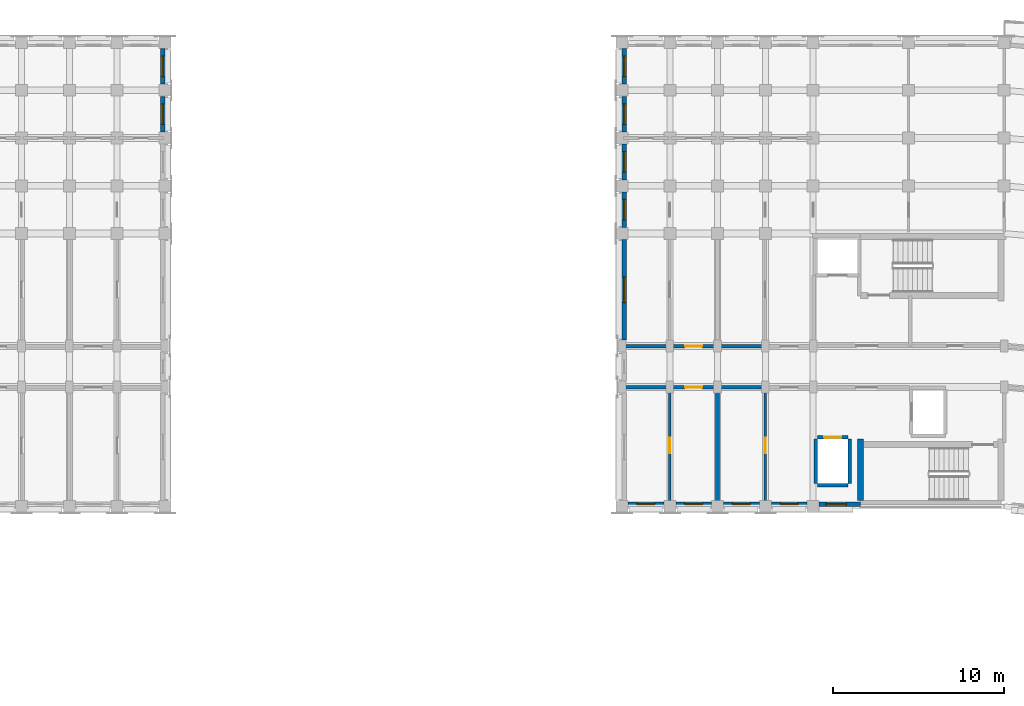
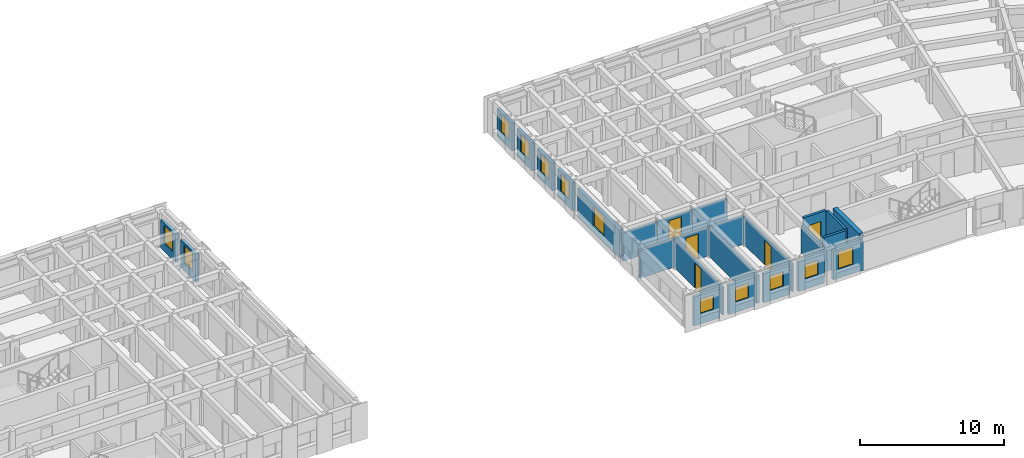
# One storey, part 30 of 57: 26 walls, 12 windows, 5 doors, 17 openings.
"""IFC4 building model written with IfcOpenShell, lengths in metres."""

from ifc_helpers import new_model, si_unit, direction, frame, frame_2d, origin, place, context, subcontext, project, spatial, rectangle, extrude, material, layer, layer_set, type_object, element, fill, save


model = new_model("IFC4")

# Units and contexts
model_context = context("Model", 3, precision=1e-05, world=origin(), true_north=direction((0.0, 1.0)))
body_context = subcontext(model_context, "Body", "Model", "MODEL_VIEW")
ifc_project = project(units=[si_unit("LENGTHUNIT", "METRE"), si_unit("AREAUNIT", "SQUARE_METRE"), si_unit("VOLUMEUNIT", "CUBIC_METRE"), si_unit("PLANEANGLEUNIT", "RADIAN"), si_unit("MASSUNIT", "GRAM", prefix="KILO")], contexts=[model_context])

# Site, building, storey
site_placement = place(None, origin())
site = spatial("IfcSite", under=ifc_project, at=site_placement, CompositionType="ELEMENT")
building_placement = place(site_placement, origin())
building = spatial("IfcBuilding", under=site, at=building_placement, Name="Kiranvali Square Residences", CompositionType="ELEMENT")
storey_placement = place(building_placement, frame((0.0, 0.0, 21.300048828125)))
storey = spatial("IfcBuildingStorey", under=building, at=storey_placement, Name="L06", CompositionType="ELEMENT", Elevation=21.300048828125)

# Walls
ifc_material_1 = material(Name="Autoclaved aerated concrete blockwork masonry", Category="masonry")
ifc_layer_1 = layer(ifc_material_1, 0.199951171875)
ifc_layer_set_1 = layer_set([ifc_layer_1], Name="Autoclaved aerated concrete blockwork masonry")
wall_type_1 = type_object("IfcWallType", Name="WL-COR-200", PredefinedType="STANDARD", material=ifc_layer_set_1)
for number, where, z_axis, x_axis, name in (
    (1, (105.800048828125, 113.60009765625, 0.0), (0.0, 0.0, 1.0), (-1.0, 0.0, 0.0), "L06 architectural wall WL-L06-B-A1CI-1"),
    (2, (105.800048828125, 116.0, 0.0), (0.0, 0.0, 1.0), (-1.0, 0.0, 0.0), "L06 architectural wall WL-L06-B-A1CO-1"),
):
    element("IfcWall", number, at=place(storey_placement, frame(where, z_axis=z_axis, x_axis=x_axis)), inside=storey, type_object=wall_type_1, Name=name, PredefinedType="STANDARD", context=body_context, shape_type="SweptSolid", body=[
        extrude(rectangle(XDim=2.800048828125, YDim=0.199951171875, at=frame_2d((1.39990234375, 0.0))), origin(), (0.0, 0.0, 1.0), 2.3720703125),
    ])

# Wall, opening, door
wall_1_placement = place(storey_placement, frame((103.0, 113.60009765625, 0.0), z_axis=(0.0, 0.0, 1.0), x_axis=(-1.0, 0.0, 0.0)))
wall_1 = element("IfcWall", 3, at=wall_1_placement, inside=storey, type_object=wall_type_1, Name="L06 architectural wall WL-L06-B-A1CI-2", PredefinedType="STANDARD", context=body_context, shape_type="SweptSolid", body=[
    extrude(rectangle(XDim=2.800048828125, YDim=0.199951171875, at=frame_2d((1.39990234375, 0.0))), origin(), (0.0, 0.0, 1.0), 2.3720703125),
])
opening_1_placement = place(wall_1_placement, frame((0.89990234375, 0.0, 0.0)))
opening_1 = element("IfcOpeningElement", 4, at=opening_1_placement, cuts=wall_1, Name="Opening FD-APT-60", PredefinedType="OPENING", context=body_context, shape_type="SweptSolid", body=[
    extrude(rectangle(XDim=1.0, YDim=2.14990234375, at=frame_2d((0.5, 1.074951171875))), frame((0.0, 0.10986328125, 0.0), z_axis=(0.0, -1.0, 0.0), x_axis=(1.0, 0.0, 0.0)), (0.0, 0.0, 1.0), 0.219970703125),
])
ifc_material_2 = material(Name="Fire-rated acoustic hardwood and mineral-core door assembly", Category="wood")
door_type_1 = type_object("IfcDoorType", Name="DR-APT-1000", OperationType="NOTDEFINED", PredefinedType="DOOR", material=ifc_material_2)
door_1_placement = place(opening_1_placement, frame((1.0, 0.0, 0.0), z_axis=(0.0, 0.0, 1.0), x_axis=(-1.0, 0.0, 0.0)))
door_1 = element("IfcDoor", 5, at=door_1_placement, inside=storey, type_object=door_type_1, Name="L06 door DR-L06-1342 (DR-APT-1000)", OperationType="SINGLE_SWING_RIGHT", OverallHeight=2.14990234375, OverallWidth=1.0, PredefinedType="DOOR", context=body_context, shape_type="SweptSolid", body=[
    extrude(rectangle(XDim=1.0, YDim=2.14990234375, at=frame_2d((0.5, 1.074951171875))), frame((0.0, 0.02490234375, 0.0), z_axis=(0.0, -1.0, 0.0), x_axis=(1.0, 0.0, 0.0)), (0.0, 0.0, 1.0), 0.050048828125),
])
fill(opening_1, door_1)

wall_2_placement = place(storey_placement, frame((103.0, 116.0, 0.0), z_axis=(0.0, 0.0, 1.0), x_axis=(-1.0, 0.0, 0.0)))
wall_2 = element("IfcWall", 6, at=wall_2_placement, inside=storey, type_object=wall_type_1, Name="L06 architectural wall WL-L06-B-A1CO-2", PredefinedType="STANDARD", context=body_context, shape_type="SweptSolid", body=[
    extrude(rectangle(XDim=2.800048828125, YDim=0.199951171875, at=frame_2d((1.39990234375, 0.0))), origin(), (0.0, 0.0, 1.0), 2.3720703125),
])
opening_2_placement = place(wall_2_placement, frame((0.89990234375, 0.0, 0.0)))
opening_2 = element("IfcOpeningElement", 7, at=opening_2_placement, cuts=wall_2, Name="Opening FD-APT-60", PredefinedType="OPENING", context=body_context, shape_type="SweptSolid", body=[
    extrude(rectangle(XDim=1.0, YDim=2.14990234375, at=frame_2d((0.5, 1.074951171875))), frame((0.0, 0.10986328125, 0.0), z_axis=(0.0, -1.0, 0.0), x_axis=(1.0, 0.0, 0.0)), (0.0, 0.0, 1.0), 0.219970703125),
])
door_2_placement = place(opening_2_placement, frame((1.0, 0.0, 0.0), z_axis=(0.0, 0.0, 1.0), x_axis=(-1.0, 0.0, 0.0)))
door_2 = element("IfcDoor", 8, at=door_2_placement, inside=storey, type_object=door_type_1, Name="L06 door DR-L06-1344 (DR-APT-1000)", OperationType="SINGLE_SWING_RIGHT", OverallHeight=2.14990234375, OverallWidth=1.0, PredefinedType="DOOR", context=body_context, shape_type="SweptSolid", body=[
    extrude(rectangle(XDim=1.0, YDim=2.14990234375, at=frame_2d((0.5, 1.074951171875))), frame((0.0, 0.02490234375, 0.0), z_axis=(0.0, -1.0, 0.0), x_axis=(1.0, 0.0, 0.0)), (0.0, 0.0, 1.0), 0.050048828125),
])
fill(opening_2, door_2)

# Walls
for number, where, z_axis, x_axis, name in (
    (9, (100.199951171875, 113.60009765625, 0.0), (0.0, 0.0, 1.0), (-1.0, 0.0, 0.0), "L06 architectural wall WL-L06-B-A1CI-3"),
    (10, (100.199951171875, 116.0, 0.0), (0.0, 0.0, 1.0), (-1.0, 0.0, 0.0), "L06 architectural wall WL-L06-B-A1CO-3"),
):
    element("IfcWall", number, at=place(storey_placement, frame(where, z_axis=z_axis, x_axis=x_axis)), inside=storey, type_object=wall_type_1, Name=name, PredefinedType="STANDARD", context=body_context, shape_type="SweptSolid", body=[
        extrude(rectangle(XDim=2.800048828125, YDim=0.199951171875, at=frame_2d((1.39990234375, 0.0))), origin(), (0.0, 0.0, 1.0), 2.3720703125),
    ])
ifc_layer_2 = layer(ifc_material_1, 0.219970703125)
ifc_layer_set_2 = layer_set([ifc_layer_2], Name="Autoclaved aerated concrete blockwork masonry")
wall_type_2 = type_object("IfcWallType", Name="WL-DEM-220", PredefinedType="STANDARD", material=ifc_layer_set_2)
wall_3_placement = place(storey_placement, frame((103.0, 106.800048828125, 0.0), z_axis=(0.0, 0.0, 1.0), x_axis=(0.0, 1.0, 0.0)))
element("IfcWall", 11, at=wall_3_placement, inside=storey, type_object=wall_type_2, Name="L06 architectural wall WL-L06-B-A1TI-2", PredefinedType="STANDARD", context=body_context, shape_type="SweptSolid", body=[
    extrude(rectangle(XDim=6.75, YDim=0.219970703125, at=frame_2d((3.375, 0.0))), origin(), (0.0, 0.0, 1.0), 2.3720703125),
])

# Wall, opening, window
ifc_material_3 = material(Name="Breathable lime-rendered clay brick masonry", Category="masonry")
ifc_layer_3 = layer(ifc_material_3, 0.25)
ifc_layer_set_3 = layer_set([ifc_layer_3], Name="Breathable lime-rendered clay brick masonry")
wall_type_3 = type_object("IfcWallType", Name="WL-EXT-250", PredefinedType="STANDARD", material=ifc_layer_set_3)
wall_4_placement = place(storey_placement, frame((70.47509765625, 128.553466796875, 0.0), z_axis=(0.0, 0.0, 1.0), x_axis=(0.0, 1.0, 0.0)))
wall_4 = element("IfcWall", 12, at=wall_4_placement, inside=storey, type_object=wall_type_3, Name="L06 exterior wall A-L06-A1END-5", PredefinedType="STANDARD", context=body_context, shape_type="SweptSolid", body=[
    extrude(rectangle(XDim=2.093017578125, YDim=0.25, at=frame_2d((1.04638671875, 0.0))), origin(), (0.0, 0.0, 1.0), 2.3720703125),
])
opening_3_placement = place(wall_4_placement, frame((0.446533203125, 0.0, 0.672119140625)))
opening_3 = element("IfcOpeningElement", 13, at=opening_3_placement, cuts=wall_4, Name="Opening W-06", PredefinedType="OPENING", context=body_context, shape_type="SweptSolid", body=[
    extrude(rectangle(XDim=1.199951171875, YDim=1.5, at=frame_2d((0.60009765625, 0.75))), frame((0.0, 0.135009765625, 0.0), z_axis=(0.0, -1.0, 0.0), x_axis=(1.0, 0.0, 0.0)), (0.0, 0.0, 1.0), 0.27001953125),
])
ifc_material_4 = material(Name="Solar-control low-e double glazing", Category="glass")
window_type_1 = type_object("IfcWindowType", Name="WIN-RES-1200x1500", PartitioningType="SINGLE_PANEL", PredefinedType="WINDOW", material=ifc_material_4)
window_1_placement = place(opening_3_placement, origin())
window_1 = element("IfcWindow", 14, at=window_1_placement, inside=storey, type_object=window_type_1, Name="L06 recessed window A-L06-A1END-5", OverallHeight=1.5, OverallWidth=1.199951171875, PartitioningType="SINGLE_PANEL", PredefinedType="WINDOW", context=body_context, shape_type="SweptSolid", body=[
    extrude(rectangle(XDim=1.199951171875, YDim=1.5, at=frame_2d((0.60009765625, 0.75))), frame((0.0, 0.030029296875, 0.0), z_axis=(0.0, -1.0, 0.0), x_axis=(1.0, 0.0, 0.0)), (0.0, 0.0, 1.0), 0.06005859375),
])
fill(opening_3, window_1)

wall_5_placement = place(storey_placement, frame((70.47509765625, 131.353515625, 0.0), z_axis=(0.0, 0.0, 1.0), x_axis=(0.0, 1.0, 0.0)))
wall_5 = element("IfcWall", 15, at=wall_5_placement, inside=storey, type_object=wall_type_3, Name="L06 exterior wall A-L06-A1END-6", PredefinedType="STANDARD", context=body_context, shape_type="SweptSolid", body=[
    extrude(rectangle(XDim=2.093017578125, YDim=0.25, at=frame_2d((1.04638671875, 0.0))), origin(), (0.0, 0.0, 1.0), 2.3720703125),
])
opening_4_placement = place(wall_5_placement, frame((0.446533203125, 0.0, 0.672119140625)))
opening_4 = element("IfcOpeningElement", 16, at=opening_4_placement, cuts=wall_5, Name="Opening W-06", PredefinedType="OPENING", context=body_context, shape_type="SweptSolid", body=[
    extrude(rectangle(XDim=1.199951171875, YDim=1.5, at=frame_2d((0.60009765625, 0.75))), frame((0.0, 0.135009765625, 0.0), z_axis=(0.0, -1.0, 0.0), x_axis=(1.0, 0.0, 0.0)), (0.0, 0.0, 1.0), 0.27001953125),
])
window_2_placement = place(opening_4_placement, origin())
window_2 = element("IfcWindow", 17, at=window_2_placement, inside=storey, type_object=window_type_1, Name="L06 recessed window A-L06-A1END-6", OverallHeight=1.5, OverallWidth=1.199951171875, PartitioningType="SINGLE_PANEL", PredefinedType="WINDOW", context=body_context, shape_type="SweptSolid", body=[
    extrude(rectangle(XDim=1.199951171875, YDim=1.5, at=frame_2d((0.60009765625, 0.75))), frame((0.0, 0.030029296875, 0.0), z_axis=(0.0, -1.0, 0.0), x_axis=(1.0, 0.0, 0.0)), (0.0, 0.0, 1.0), 0.06005859375),
])
fill(opening_4, window_2)

wall_6_placement = place(storey_placement, frame((111.37158203125, 106.72509765625, 0.0), z_axis=(0.0, 0.0, 1.0), x_axis=(-1.0, 0.0, 0.0)))
wall_6 = element("IfcWall", 18, at=wall_6_placement, inside=storey, type_object=wall_type_3, Name="L06 exterior wall B-L06-A1IN-0", PredefinedType="STANDARD", context=body_context, shape_type="SweptSolid", body=[
    extrude(rectangle(XDim=2.421630859375, YDim=0.25, at=frame_2d((1.2109375, 0.0))), origin(), (0.0, 0.0, 1.0), 2.471923828125),
])
opening_5_placement = place(wall_6_placement, frame((0.821533203125, 0.0, 0.77197265625)))
opening_5 = element("IfcOpeningElement", 19, at=opening_5_placement, cuts=wall_6, Name="Opening W-06", PredefinedType="OPENING", context=body_context, shape_type="SweptSolid", body=[
    extrude(rectangle(XDim=1.199951171875, YDim=1.5, at=frame_2d((0.60009765625, 0.75))), frame((0.0, 0.135009765625, 0.0), z_axis=(0.0, -1.0, 0.0), x_axis=(1.0, 0.0, 0.0)), (0.0, 0.0, 1.0), 0.27001953125),
])
window_3_placement = place(opening_5_placement, origin())
window_3 = element("IfcWindow", 20, at=window_3_placement, inside=storey, type_object=window_type_1, Name="L06 recessed window B-L06-A1IN-0", OverallHeight=1.5, OverallWidth=1.199951171875, PartitioningType="SINGLE_PANEL", PredefinedType="WINDOW", context=body_context, shape_type="SweptSolid", body=[
    extrude(rectangle(XDim=1.199951171875, YDim=1.5, at=frame_2d((0.60009765625, 0.75))), frame((0.0, 0.030029296875, 0.0), z_axis=(0.0, -1.0, 0.0), x_axis=(1.0, 0.0, 0.0)), (0.0, 0.0, 1.0), 0.06005859375),
])
fill(opening_5, window_3)

wall_7_placement = place(storey_placement, frame((108.24658203125, 106.72509765625, 0.0), z_axis=(0.0, 0.0, 1.0), x_axis=(-1.0, 0.0, 0.0)))
wall_7 = element("IfcWall", 21, at=wall_7_placement, inside=storey, type_object=wall_type_3, Name="L06 exterior wall B-L06-A1I-0", PredefinedType="STANDARD", context=body_context, shape_type="SweptSolid", body=[
    extrude(rectangle(XDim=2.093017578125, YDim=0.25, at=frame_2d((1.04638671875, 0.0))), origin(), (0.0, 0.0, 1.0), 2.471923828125),
])
opening_6_placement = place(wall_7_placement, frame((0.521484375, 0.0, 0.8798828125)))
opening_6 = element("IfcOpeningElement", 22, at=opening_6_placement, cuts=wall_7, Name="Opening W-24", PredefinedType="OPENING", context=body_context, shape_type="SweptSolid", body=[
    extrude(rectangle(XDim=1.050048828125, YDim=1.25, at=frame_2d((0.52490234375, 0.625))), frame((0.0, 0.135009765625, 0.0), z_axis=(0.0, -1.0, 0.0), x_axis=(1.0, 0.0, 0.0)), (0.0, 0.0, 1.0), 0.27001953125),
])
window_type_2 = type_object("IfcWindowType", Name="WIN-COR-1050x1250", PartitioningType="SINGLE_PANEL", PredefinedType="WINDOW", material=ifc_material_4)
window_4_placement = place(opening_6_placement, origin())
window_4 = element("IfcWindow", 23, at=window_4_placement, inside=storey, type_object=window_type_2, Name="L06 recessed window B-L06-A1I-0", OverallHeight=1.25, OverallWidth=1.050048828125, PartitioningType="SINGLE_PANEL", PredefinedType="WINDOW", context=body_context, shape_type="SweptSolid", body=[
    extrude(rectangle(XDim=1.050048828125, YDim=1.25, at=frame_2d((0.52490234375, 0.625))), frame((0.0, 0.030029296875, 0.0), z_axis=(0.0, -1.0, 0.0), x_axis=(1.0, 0.0, 0.0)), (0.0, 0.0, 1.0), 0.06005859375),
])
fill(opening_6, window_4)

wall_8_placement = place(storey_placement, frame((105.446533203125, 106.72509765625, 0.0), z_axis=(0.0, 0.0, 1.0), x_axis=(-1.0, 0.0, 0.0)))
wall_8 = element("IfcWall", 24, at=wall_8_placement, inside=storey, type_object=wall_type_3, Name="L06 exterior wall B-L06-A1I-1", PredefinedType="STANDARD", context=body_context, shape_type="SweptSolid", body=[
    extrude(rectangle(XDim=2.093017578125, YDim=0.25, at=frame_2d((1.04638671875, 0.0))), origin(), (0.0, 0.0, 1.0), 2.471923828125),
])
opening_7_placement = place(wall_8_placement, frame((0.521484375, 0.0, 0.8798828125)))
opening_7 = element("IfcOpeningElement", 25, at=opening_7_placement, cuts=wall_8, Name="Opening W-24", PredefinedType="OPENING", context=body_context, shape_type="SweptSolid", body=[
    extrude(rectangle(XDim=1.050048828125, YDim=1.25, at=frame_2d((0.52490234375, 0.625))), frame((0.0, 0.135009765625, 0.0), z_axis=(0.0, -1.0, 0.0), x_axis=(1.0, 0.0, 0.0)), (0.0, 0.0, 1.0), 0.27001953125),
])
window_5_placement = place(opening_7_placement, origin())
window_5 = element("IfcWindow", 26, at=window_5_placement, inside=storey, type_object=window_type_2, Name="L06 recessed window B-L06-A1I-1", OverallHeight=1.25, OverallWidth=1.050048828125, PartitioningType="SINGLE_PANEL", PredefinedType="WINDOW", context=body_context, shape_type="SweptSolid", body=[
    extrude(rectangle(XDim=1.050048828125, YDim=1.25, at=frame_2d((0.52490234375, 0.625))), frame((0.0, 0.030029296875, 0.0), z_axis=(0.0, -1.0, 0.0), x_axis=(1.0, 0.0, 0.0)), (0.0, 0.0, 1.0), 0.06005859375),
])
fill(opening_7, window_5)

wall_9_placement = place(storey_placement, frame((102.646484375, 106.72509765625, 0.0), z_axis=(0.0, 0.0, 1.0), x_axis=(-1.0, 0.0, 0.0)))
wall_9 = element("IfcWall", 27, at=wall_9_placement, inside=storey, type_object=wall_type_3, Name="L06 exterior wall B-L06-A1I-2", PredefinedType="STANDARD", context=body_context, shape_type="SweptSolid", body=[
    extrude(rectangle(XDim=2.093017578125, YDim=0.25, at=frame_2d((1.04638671875, 0.0))), origin(), (0.0, 0.0, 1.0), 2.471923828125),
])
opening_8_placement = place(wall_9_placement, frame((0.521484375, 0.0, 0.8798828125)))
opening_8 = element("IfcOpeningElement", 28, at=opening_8_placement, cuts=wall_9, Name="Opening W-24", PredefinedType="OPENING", context=body_context, shape_type="SweptSolid", body=[
    extrude(rectangle(XDim=1.050048828125, YDim=1.25, at=frame_2d((0.52490234375, 0.625))), frame((0.0, 0.135009765625, 0.0), z_axis=(0.0, -1.0, 0.0), x_axis=(1.0, 0.0, 0.0)), (0.0, 0.0, 1.0), 0.27001953125),
])
window_6_placement = place(opening_8_placement, origin())
window_6 = element("IfcWindow", 29, at=window_6_placement, inside=storey, type_object=window_type_2, Name="L06 recessed window B-L06-A1I-2", OverallHeight=1.25, OverallWidth=1.050048828125, PartitioningType="SINGLE_PANEL", PredefinedType="WINDOW", context=body_context, shape_type="SweptSolid", body=[
    extrude(rectangle(XDim=1.050048828125, YDim=1.25, at=frame_2d((0.52490234375, 0.625))), frame((0.0, 0.030029296875, 0.0), z_axis=(0.0, -1.0, 0.0), x_axis=(1.0, 0.0, 0.0)), (0.0, 0.0, 1.0), 0.06005859375),
])
fill(opening_8, window_6)

wall_10_placement = place(storey_placement, frame((99.846435546875, 106.72509765625, 0.0), z_axis=(0.0, 0.0, 1.0), x_axis=(-1.0, 0.0, 0.0)))
wall_10 = element("IfcWall", 30, at=wall_10_placement, inside=storey, type_object=wall_type_3, Name="L06 exterior wall B-L06-A1I-3", PredefinedType="STANDARD", context=body_context, shape_type="SweptSolid", body=[
    extrude(rectangle(XDim=2.093017578125, YDim=0.25, at=frame_2d((1.04638671875, 0.0))), origin(), (0.0, 0.0, 1.0), 2.471923828125),
])
opening_9_placement = place(wall_10_placement, frame((0.521484375, 0.0, 0.8798828125)))
opening_9 = element("IfcOpeningElement", 31, at=opening_9_placement, cuts=wall_10, Name="Opening W-24", PredefinedType="OPENING", context=body_context, shape_type="SweptSolid", body=[
    extrude(rectangle(XDim=1.050048828125, YDim=1.25, at=frame_2d((0.52490234375, 0.625))), frame((0.0, 0.135009765625, 0.0), z_axis=(0.0, -1.0, 0.0), x_axis=(1.0, 0.0, 0.0)), (0.0, 0.0, 1.0), 0.27001953125),
])
window_7_placement = place(opening_9_placement, origin())
window_7 = element("IfcWindow", 32, at=window_7_placement, inside=storey, type_object=window_type_2, Name="L06 recessed window B-L06-A1I-3", OverallHeight=1.25, OverallWidth=1.050048828125, PartitioningType="SINGLE_PANEL", PredefinedType="WINDOW", context=body_context, shape_type="SweptSolid", body=[
    extrude(rectangle(XDim=1.050048828125, YDim=1.25, at=frame_2d((0.52490234375, 0.625))), frame((0.0, 0.030029296875, 0.0), z_axis=(0.0, -1.0, 0.0), x_axis=(1.0, 0.0, 0.0)), (0.0, 0.0, 1.0), 0.06005859375),
])
fill(opening_9, window_7)

wall_11_placement = place(storey_placement, frame((97.52490234375, 116.353515625, 0.0), z_axis=(0.0, 0.0, 1.0), x_axis=(0.0, 1.0, 0.0)))
wall_11 = element("IfcWall", 33, at=wall_11_placement, inside=storey, type_object=wall_type_3, Name="L06 exterior wall B-L06-A1END-2", PredefinedType="STANDARD", context=body_context, shape_type="SweptSolid", body=[
    extrude(rectangle(XDim=5.89306640625, YDim=0.25, at=frame_2d((2.946533203125, 0.0))), origin(), (0.0, 0.0, 1.0), 2.3720703125),
])
opening_10_placement = place(wall_11_placement, frame((2.196533203125, 0.0, 0.52197265625)))
opening_10 = element("IfcOpeningElement", 34, at=opening_10_placement, cuts=wall_11, Name="Opening W-05", PredefinedType="OPENING", context=body_context, shape_type="SweptSolid", body=[
    extrude(rectangle(XDim=1.5, YDim=1.64990234375, at=frame_2d((0.75, 0.824951171875))), frame((0.0, 0.135009765625, 0.0), z_axis=(0.0, -1.0, 0.0), x_axis=(1.0, 0.0, 0.0)), (0.0, 0.0, 1.0), 0.27001953125),
])
window_type_3 = type_object("IfcWindowType", Name="WIN-RES-1500x1650", PartitioningType="DOUBLE_PANEL_VERTICAL", PredefinedType="WINDOW", material=ifc_material_4)
window_8_placement = place(opening_10_placement, origin())
window_8 = element("IfcWindow", 35, at=window_8_placement, inside=storey, type_object=window_type_3, Name="L06 recessed window B-L06-A1END-2", OverallHeight=1.64990234375, OverallWidth=1.5, PartitioningType="DOUBLE_PANEL_VERTICAL", PredefinedType="WINDOW", context=body_context, shape_type="SweptSolid", body=[
    extrude(rectangle(XDim=1.5, YDim=1.64990234375, at=frame_2d((0.75, 0.824951171875))), frame((0.0, 0.030029296875, 0.0), z_axis=(0.0, -1.0, 0.0), x_axis=(1.0, 0.0, 0.0)), (0.0, 0.0, 1.0), 0.06005859375),
])
fill(opening_10, window_8)

wall_12_placement = place(storey_placement, frame((97.52490234375, 122.95361328125, 0.0), z_axis=(0.0, 0.0, 1.0), x_axis=(0.0, 1.0, 0.0)))
wall_12 = element("IfcWall", 36, at=wall_12_placement, inside=storey, type_object=wall_type_3, Name="L06 exterior wall B-L06-A1END-3", PredefinedType="STANDARD", context=body_context, shape_type="SweptSolid", body=[
    extrude(rectangle(XDim=2.0927734375, YDim=0.25, at=frame_2d((1.04638671875, 0.0))), origin(), (0.0, 0.0, 1.0), 2.3720703125),
])
opening_11_placement = place(wall_12_placement, frame((0.446533203125, 0.0, 0.672119140625)))
opening_11 = element("IfcOpeningElement", 37, at=opening_11_placement, cuts=wall_12, Name="Opening W-06", PredefinedType="OPENING", context=body_context, shape_type="SweptSolid", body=[
    extrude(rectangle(XDim=1.199951171875, YDim=1.5, at=frame_2d((0.60009765625, 0.75))), frame((0.0, 0.135009765625, 0.0), z_axis=(0.0, -1.0, 0.0), x_axis=(1.0, 0.0, 0.0)), (0.0, 0.0, 1.0), 0.27001953125),
])
window_9_placement = place(opening_11_placement, origin())
window_9 = element("IfcWindow", 38, at=window_9_placement, inside=storey, type_object=window_type_1, Name="L06 recessed window B-L06-A1END-3", OverallHeight=1.5, OverallWidth=1.199951171875, PartitioningType="SINGLE_PANEL", PredefinedType="WINDOW", context=body_context, shape_type="SweptSolid", body=[
    extrude(rectangle(XDim=1.199951171875, YDim=1.5, at=frame_2d((0.60009765625, 0.75))), frame((0.0, 0.030029296875, 0.0), z_axis=(0.0, -1.0, 0.0), x_axis=(1.0, 0.0, 0.0)), (0.0, 0.0, 1.0), 0.06005859375),
])
fill(opening_11, window_9)

wall_13_placement = place(storey_placement, frame((97.52490234375, 125.75341796875, 0.0), z_axis=(0.0, 0.0, 1.0), x_axis=(0.0, 1.0, 0.0)))
wall_13 = element("IfcWall", 39, at=wall_13_placement, inside=storey, type_object=wall_type_3, Name="L06 exterior wall B-L06-A1END-4", PredefinedType="STANDARD", context=body_context, shape_type="SweptSolid", body=[
    extrude(rectangle(XDim=2.093017578125, YDim=0.25, at=frame_2d((1.04638671875, 0.0))), origin(), (0.0, 0.0, 1.0), 2.3720703125),
])
opening_12_placement = place(wall_13_placement, frame((0.446533203125, 0.0, 0.672119140625)))
opening_12 = element("IfcOpeningElement", 40, at=opening_12_placement, cuts=wall_13, Name="Opening W-06", PredefinedType="OPENING", context=body_context, shape_type="SweptSolid", body=[
    extrude(rectangle(XDim=1.199951171875, YDim=1.5, at=frame_2d((0.60009765625, 0.75))), frame((0.0, 0.135009765625, 0.0), z_axis=(0.0, -1.0, 0.0), x_axis=(1.0, 0.0, 0.0)), (0.0, 0.0, 1.0), 0.27001953125),
])
window_10_placement = place(opening_12_placement, origin())
window_10 = element("IfcWindow", 41, at=window_10_placement, inside=storey, type_object=window_type_1, Name="L06 recessed window B-L06-A1END-4", OverallHeight=1.5, OverallWidth=1.199951171875, PartitioningType="SINGLE_PANEL", PredefinedType="WINDOW", context=body_context, shape_type="SweptSolid", body=[
    extrude(rectangle(XDim=1.199951171875, YDim=1.5, at=frame_2d((0.60009765625, 0.75))), frame((0.0, 0.030029296875, 0.0), z_axis=(0.0, -1.0, 0.0), x_axis=(1.0, 0.0, 0.0)), (0.0, 0.0, 1.0), 0.06005859375),
])
fill(opening_12, window_10)

wall_14_placement = place(storey_placement, frame((97.52490234375, 128.553466796875, 0.0), z_axis=(0.0, 0.0, 1.0), x_axis=(0.0, 1.0, 0.0)))
wall_14 = element("IfcWall", 42, at=wall_14_placement, inside=storey, type_object=wall_type_3, Name="L06 exterior wall B-L06-A1END-5", PredefinedType="STANDARD", context=body_context, shape_type="SweptSolid", body=[
    extrude(rectangle(XDim=2.093017578125, YDim=0.25, at=frame_2d((1.04638671875, 0.0))), origin(), (0.0, 0.0, 1.0), 2.3720703125),
])
opening_13_placement = place(wall_14_placement, frame((0.446533203125, 0.0, 0.672119140625)))
opening_13 = element("IfcOpeningElement", 43, at=opening_13_placement, cuts=wall_14, Name="Opening W-06", PredefinedType="OPENING", context=body_context, shape_type="SweptSolid", body=[
    extrude(rectangle(XDim=1.199951171875, YDim=1.5, at=frame_2d((0.60009765625, 0.75))), frame((0.0, 0.135009765625, 0.0), z_axis=(0.0, -1.0, 0.0), x_axis=(1.0, 0.0, 0.0)), (0.0, 0.0, 1.0), 0.27001953125),
])
window_11_placement = place(opening_13_placement, origin())
window_11 = element("IfcWindow", 44, at=window_11_placement, inside=storey, type_object=window_type_1, Name="L06 recessed window B-L06-A1END-5", OverallHeight=1.5, OverallWidth=1.199951171875, PartitioningType="SINGLE_PANEL", PredefinedType="WINDOW", context=body_context, shape_type="SweptSolid", body=[
    extrude(rectangle(XDim=1.199951171875, YDim=1.5, at=frame_2d((0.60009765625, 0.75))), frame((0.0, 0.030029296875, 0.0), z_axis=(0.0, -1.0, 0.0), x_axis=(1.0, 0.0, 0.0)), (0.0, 0.0, 1.0), 0.06005859375),
])
fill(opening_13, window_11)

wall_15_placement = place(storey_placement, frame((97.52490234375, 131.353515625, 0.0), z_axis=(0.0, 0.0, 1.0), x_axis=(0.0, 1.0, 0.0)))
wall_15 = element("IfcWall", 45, at=wall_15_placement, inside=storey, type_object=wall_type_3, Name="L06 exterior wall B-L06-A1END-6", PredefinedType="STANDARD", context=body_context, shape_type="SweptSolid", body=[
    extrude(rectangle(XDim=2.093017578125, YDim=0.25, at=frame_2d((1.04638671875, 0.0))), origin(), (0.0, 0.0, 1.0), 2.3720703125),
])
opening_14_placement = place(wall_15_placement, frame((0.446533203125, 0.0, 0.672119140625)))
opening_14 = element("IfcOpeningElement", 46, at=opening_14_placement, cuts=wall_15, Name="Opening W-06", PredefinedType="OPENING", context=body_context, shape_type="SweptSolid", body=[
    extrude(rectangle(XDim=1.199951171875, YDim=1.5, at=frame_2d((0.60009765625, 0.75))), frame((0.0, 0.135009765625, 0.0), z_axis=(0.0, -1.0, 0.0), x_axis=(1.0, 0.0, 0.0)), (0.0, 0.0, 1.0), 0.27001953125),
])
window_12_placement = place(opening_14_placement, origin())
window_12 = element("IfcWindow", 47, at=window_12_placement, inside=storey, type_object=window_type_1, Name="L06 recessed window B-L06-A1END-6", OverallHeight=1.5, OverallWidth=1.199951171875, PartitioningType="SINGLE_PANEL", PredefinedType="WINDOW", context=body_context, shape_type="SweptSolid", body=[
    extrude(rectangle(XDim=1.199951171875, YDim=1.5, at=frame_2d((0.60009765625, 0.75))), frame((0.0, 0.030029296875, 0.0), z_axis=(0.0, -1.0, 0.0), x_axis=(1.0, 0.0, 0.0)), (0.0, 0.0, 1.0), 0.06005859375),
])
fill(opening_14, window_12)

# Wall, opening, door
ifc_material_5 = material(Name="Acoustic gypsum board drylined partition", Category="gypsum")
ifc_layer_4 = layer(ifc_material_5, 0.14990234375)
ifc_layer_set_4 = layer_set([ifc_layer_4], Name="Acoustic gypsum board drylined partition")
wall_type_4 = type_object("IfcWallType", Name="WL-PRT-150", PredefinedType="PARTITIONING", material=ifc_layer_set_4)
wall_16_placement = place(storey_placement, frame((105.800048828125, 106.800048828125, 0.0), z_axis=(0.0, 0.0, 1.0), x_axis=(0.0, 1.0, 0.0)))
wall_16 = element("IfcWall", 48, at=wall_16_placement, inside=storey, type_object=wall_type_4, Name="L06 architectural wall WL-L06-B-A1TI-1", PredefinedType="PARTITIONING", context=body_context, shape_type="SweptSolid", body=[
    extrude(rectangle(XDim=6.75, YDim=0.14990234375, at=frame_2d((3.375, 0.0))), origin(), (0.0, 0.0, 1.0), 2.3720703125),
])
opening_15_placement = place(wall_16_placement, frame((2.925048828125, 0.0, 0.0)))
opening_15 = element("IfcOpeningElement", 49, at=opening_15_placement, cuts=wall_16, Name="Opening ID-1", PredefinedType="OPENING", context=body_context, shape_type="SweptSolid", body=[
    extrude(rectangle(XDim=0.89990234375, YDim=2.10009765625, at=frame_2d((0.449951171875, 1.050048828125))), frame((0.0, 0.0849609375, 0.0), z_axis=(0.0, -1.0, 0.0), x_axis=(1.0, 0.0, 0.0)), (0.0, 0.0, 1.0), 0.169921875),
])
ifc_material_6 = material(Name="Solid seasoned teak hardwood joinery", Category="wood")
door_type_2 = type_object("IfcDoorType", Name="DR-INT-900", OperationType="NOTDEFINED", PredefinedType="DOOR", material=ifc_material_6)
door_3_placement = place(opening_15_placement, origin())
door_3 = element("IfcDoor", 50, at=door_3_placement, inside=storey, type_object=door_type_2, Name="L06 door DR-L06-1347 (DR-INT-900)", OperationType="SINGLE_SWING_LEFT", OverallHeight=2.10009765625, OverallWidth=0.89990234375, PredefinedType="DOOR", context=body_context, shape_type="SweptSolid", body=[
    extrude(rectangle(XDim=0.89990234375, YDim=2.10009765625, at=frame_2d((0.449951171875, 1.050048828125))), frame((0.0, 0.02490234375, 0.0), z_axis=(0.0, -1.0, 0.0), x_axis=(1.0, 0.0, 0.0)), (0.0, 0.0, 1.0), 0.050048828125),
])
fill(opening_15, door_3)

wall_17_placement = place(storey_placement, frame((100.199951171875, 106.800048828125, 0.0), z_axis=(0.0, 0.0, 1.0), x_axis=(0.0, 1.0, 0.0)))
wall_17 = element("IfcWall", 51, at=wall_17_placement, inside=storey, type_object=wall_type_4, Name="L06 architectural wall WL-L06-B-A1TI-3", PredefinedType="PARTITIONING", context=body_context, shape_type="SweptSolid", body=[
    extrude(rectangle(XDim=6.75, YDim=0.14990234375, at=frame_2d((3.375, 0.0))), origin(), (0.0, 0.0, 1.0), 2.3720703125),
])
opening_16_placement = place(wall_17_placement, frame((2.925048828125, 0.0, 0.0)))
opening_16 = element("IfcOpeningElement", 52, at=opening_16_placement, cuts=wall_17, Name="Opening ID-1", PredefinedType="OPENING", context=body_context, shape_type="SweptSolid", body=[
    extrude(rectangle(XDim=0.89990234375, YDim=2.10009765625, at=frame_2d((0.449951171875, 1.050048828125))), frame((0.0, 0.0849609375, 0.0), z_axis=(0.0, -1.0, 0.0), x_axis=(1.0, 0.0, 0.0)), (0.0, 0.0, 1.0), 0.169921875),
])
door_4_placement = place(opening_16_placement, frame((0.89990234375, 0.0, 0.0), z_axis=(0.0, 0.0, 1.0), x_axis=(-1.0, 0.0, 0.0)))
door_4 = element("IfcDoor", 53, at=door_4_placement, inside=storey, type_object=door_type_2, Name="L06 door DR-L06-1350 (DR-INT-900)", OperationType="SINGLE_SWING_RIGHT", OverallHeight=2.10009765625, OverallWidth=0.89990234375, PredefinedType="DOOR", context=body_context, shape_type="SweptSolid", body=[
    extrude(rectangle(XDim=0.89990234375, YDim=2.10009765625, at=frame_2d((0.449951171875, 1.050048828125))), frame((0.0, 0.02490234375, 0.0), z_axis=(0.0, -1.0, 0.0), x_axis=(1.0, 0.0, 0.0)), (0.0, 0.0, 1.0), 0.050048828125),
])
fill(opening_16, door_4)

# Walls
ifc_layer_5 = layer(ifc_material_1, 0.199951171875)
ifc_layer_set_5 = layer_set([ifc_layer_5], Name="Autoclaved aerated concrete blockwork masonry")
wall_type_5 = type_object("IfcWallType", Name="WL-SHF-200", PredefinedType="STANDARD", material=ifc_layer_set_5)
wall_18_placement = place(storey_placement, frame((110.75, 107.949951171875, 0.0), z_axis=(0.0, 0.0, 1.0), x_axis=(0.0, 1.0, 0.0)))
element("IfcWall", 54, at=wall_18_placement, inside=storey, type_object=wall_type_5, Name="L06 architectural wall WL-L06-B-LP1-S1", PredefinedType="STANDARD", context=body_context, shape_type="SweptSolid", body=[
    extrude(rectangle(XDim=2.60009765625, YDim=0.199951171875, at=frame_2d((1.300048828125, 0.0))), origin(), (0.0, 0.0, 1.0), 2.929931640625),
])
wall_19_placement = place(storey_placement, frame((108.75, 107.949951171875, 0.0), z_axis=(0.0, 0.0, 1.0), x_axis=(0.0, 1.0, 0.0)))
element("IfcWall", 55, at=wall_19_placement, inside=storey, type_object=wall_type_5, Name="L06 architectural wall WL-L06-B-LP1-B", PredefinedType="STANDARD", context=body_context, shape_type="SweptSolid", body=[
    extrude(rectangle(XDim=2.60009765625, YDim=0.199951171875, at=frame_2d((1.300048828125, 0.0))), origin(), (0.0, 0.0, 1.0), 2.3720703125),
])
wall_20_placement = place(storey_placement, frame((110.64990234375, 107.85009765625, 0.0), z_axis=(0.0, 0.0, 1.0), x_axis=(-1.0, 0.0, 0.0)))
element("IfcWall", 56, at=wall_20_placement, inside=storey, type_object=wall_type_5, Name="L06 architectural wall WL-L06-B-LP1-S2", PredefinedType="STANDARD", context=body_context, shape_type="SweptSolid", body=[
    extrude(rectangle(XDim=1.7998046875, YDim=0.199951171875, at=frame_2d((0.89990234375, 0.0))), origin(), (0.0, 0.0, 1.0), 2.929931640625),
])

# Wall, opening, door
wall_21_placement = place(storey_placement, frame((110.64990234375, 110.64990234375, 0.0), z_axis=(0.0, 0.0, 1.0), x_axis=(-1.0, 0.0, 0.0)))
wall_21 = element("IfcWall", 57, at=wall_21_placement, inside=storey, type_object=wall_type_5, Name="L06 architectural wall WL-L06-B-LP1-F", PredefinedType="STANDARD", context=body_context, shape_type="SweptSolid", body=[
    extrude(rectangle(XDim=1.7998046875, YDim=0.199951171875, at=frame_2d((0.89990234375, 0.0))), origin(), (0.0, 0.0, 1.0), 2.929931640625),
])
opening_17_placement = place(wall_21_placement, frame((0.389892578125, 0.0, 0.0)))
opening_17 = element("IfcOpeningElement", 58, at=opening_17_placement, cuts=wall_21, Name="Opening LD-PAX-100", PredefinedType="OPENING", context=body_context, shape_type="SweptSolid", body=[
    extrude(rectangle(XDim=1.02001953125, YDim=2.14990234375, at=frame_2d((0.510009765625, 1.074951171875))), frame((0.0, 0.10986328125, 0.0), z_axis=(0.0, -1.0, 0.0), x_axis=(1.0, 0.0, 0.0)), (0.0, 0.0, 1.0), 0.219970703125),
])
door_type_3 = type_object("IfcDoorType", Name="DR-LIFT-1000", OperationType="SLIDING_TO_RIGHT", PredefinedType="DOOR", material=ifc_material_2)
door_5_placement = place(opening_17_placement, origin())
door_5 = element("IfcDoor", 59, at=door_5_placement, inside=storey, type_object=door_type_3, Name="L06 door DR-L06-1332 (DR-LIFT-1000)", OperationType="SLIDING_TO_RIGHT", OverallHeight=2.14990234375, OverallWidth=1.02001953125, PredefinedType="DOOR", context=body_context, shape_type="SweptSolid", body=[
    extrude(rectangle(XDim=1.02001953125, YDim=2.14990234375, at=frame_2d((0.510009765625, 1.074951171875))), frame((0.0, 0.02490234375, 0.0), z_axis=(0.0, -1.0, 0.0), x_axis=(1.0, 0.0, 0.0)), (0.0, 0.0, 1.0), 0.050048828125),
])
fill(opening_17, door_5)

# Wall
ifc_material_7 = material(Name="Concrete M45 (45 MPa)", Category="concrete")
ifc_layer_6 = layer(ifc_material_7, 0.320068359375)
ifc_layer_set_6 = layer_set([ifc_layer_6], Name="Concrete M45 (45 MPa)")
wall_type_6 = type_object("IfcWallType", Name="WL-SHR-320", PredefinedType="SHEAR", material=ifc_layer_set_6)
wall_22_placement = place(storey_placement, frame((111.375, 106.949951171875, 0.0), z_axis=(0.0, 0.0, 1.0), x_axis=(0.0, 1.0, 0.0)))
element("IfcWall", 60, at=wall_22_placement, inside=storey, type_object=wall_type_6, Name="Block B core shear wall SW-B2-FAR-L06", PredefinedType="SHEAR", context=body_context, shape_type="SweptSolid", body=[
    extrude(rectangle(XDim=3.60009765625, YDim=0.35009765625, at=frame_2d((1.800048828125, 0.0))), origin(), (0.0, 0.0, 1.0), 2.929931640625),
])

save(model, "model.ifc")
